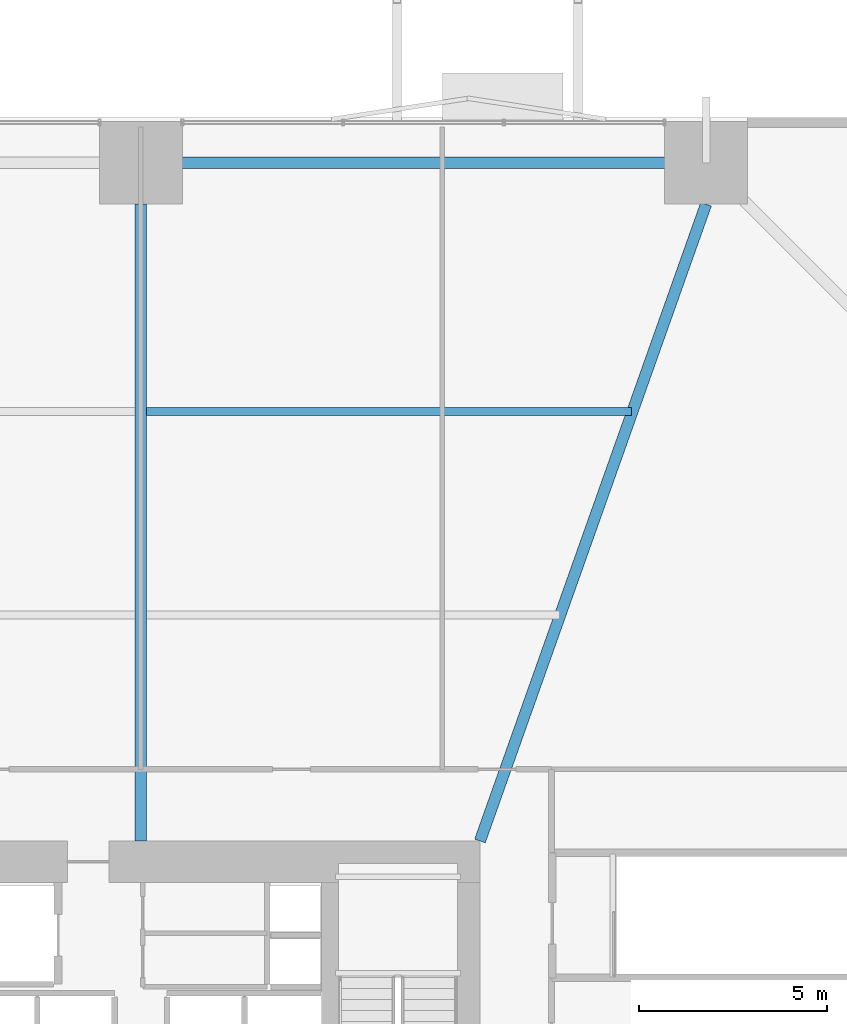
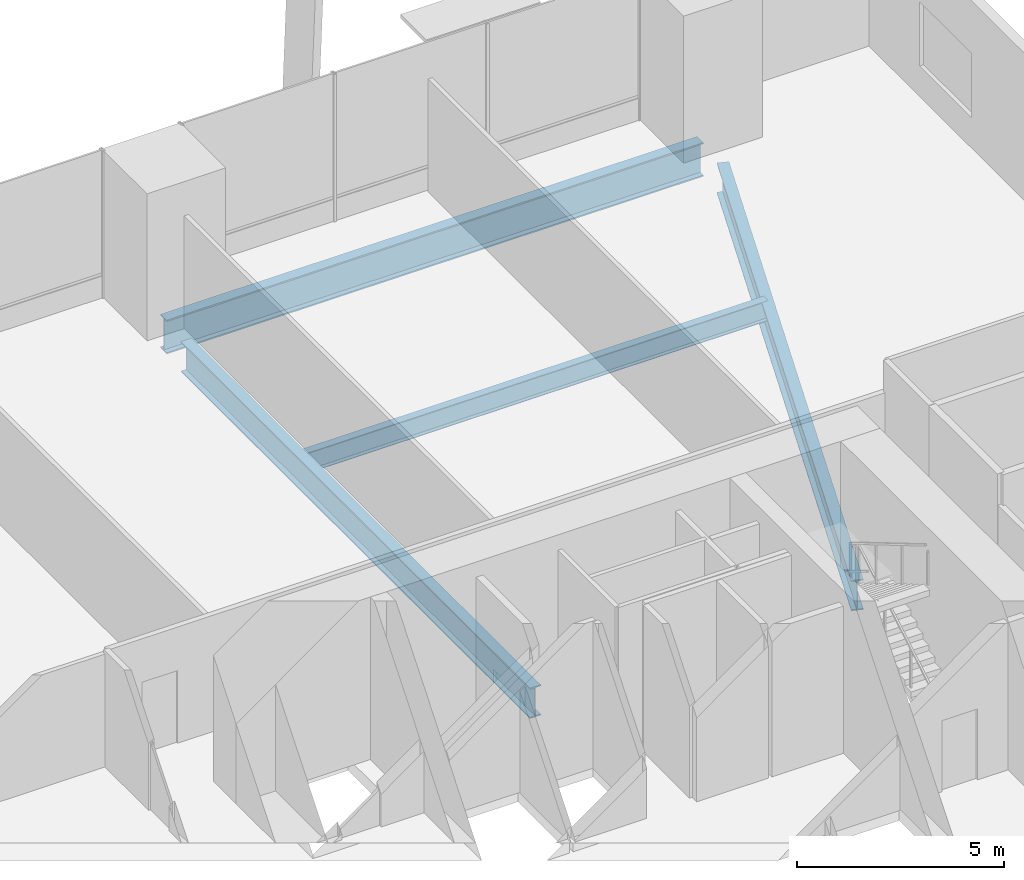
# One storey, part 16 of 24: 4 beams.
"""IFC4 building model written with IfcOpenShell, lengths in metres."""

from ifc_helpers import new_model, si_unit, direction, frame, origin, origin_2d, place, context, subcontext, project, spatial, i_section, extrude, material, material_profile, profile_set, type_object, element, save


model = new_model("IFC4")

# Units and contexts
model_context = context("Model", 3, precision=1e-05, world=origin(), true_north=direction((0.0, 1.0)))
body_context = subcontext(model_context, "Body", "Model", "MODEL_VIEW")
ifc_project = project(units=[si_unit("LENGTHUNIT", "METRE"), si_unit("AREAUNIT", "SQUARE_METRE"), si_unit("VOLUMEUNIT", "CUBIC_METRE"), si_unit("PLANEANGLEUNIT", "RADIAN"), si_unit("MASSUNIT", "GRAM", prefix="KILO")], contexts=[model_context])

# Site, building, storey
site_placement = place(None, origin())
site = spatial("IfcSite", under=ifc_project, at=site_placement, CompositionType="ELEMENT")
building_placement = place(site_placement, origin())
building = spatial("IfcBuilding", under=site, at=building_placement, Name="Belovzor Exchange Tower", CompositionType="ELEMENT")
storey_placement = place(building_placement, frame((0.0, 0.0, 19.199951171875)))
storey = spatial("IfcBuildingStorey", under=building, at=storey_placement, Name="L04", CompositionType="ELEMENT", Elevation=19.199951171875)

# Beams
ifc_material_1 = material(Name="Steel S460", Category="steel")
ifc_material_profile_1 = material_profile(ifc_material_1, i_section(OverallWidth=0.300048828125, OverallDepth=1.0, WebThickness=0.02099609375, FlangeThickness=0.0400390625, at=origin_2d()))
ifc_profile_set_1 = profile_set([ifc_material_profile_1], Name="Steel S460")
beam_type_1 = type_object("IfcBeamType", Name="Podium Exchange Hall Ring Girder HEM 1000", PredefinedType="BEAM", material=ifc_profile_set_1)
beam_1_placement = place(storey_placement, frame((43.800048828125, 55.800048828125, -0.849853515625), z_axis=(-1.0, 0.0, 0.0), x_axis=(0.0, -1.0, 0.0)))
element("IfcBeam", 1, at=beam_1_placement, inside=storey, type_object=beam_type_1, Name="PG-1 Podium Exchange Hall Ring Girder HEM 1000", PredefinedType="BEAM", context=body_context, shape_type="SweptSolid", body=[
    extrude(i_section(OverallWidth=0.300048828125, OverallDepth=1.0, WebThickness=0.02099609375, FlangeThickness=0.0400390625, at=origin_2d()), origin(), (0.0, 0.0, 1.0), 15.0),
])
ifc_material_2 = material(Name="Steel S460", Category="steel")
ifc_material_profile_2 = material_profile(ifc_material_2, i_section(OverallWidth=0.300048828125, OverallDepth=0.89990234375, WebThickness=0.0185546875, FlangeThickness=0.034912109375, at=origin_2d()))
ifc_profile_set_2 = profile_set([ifc_material_profile_2], Name="Steel S460")
beam_type_2 = type_object("IfcBeamType", Name="Podium Radial Clear-Span Girder HEB 900", PredefinedType="BEAM", material=ifc_profile_set_2)
beam_2_placement = place(storey_placement, frame((28.800048828125, 37.800048828125, -0.800048828125), z_axis=(0.0, 1.0, 0.0), x_axis=(-1.0, 0.0, 0.0)))
element("IfcBeam", 2, at=beam_2_placement, inside=storey, type_object=beam_type_2, Name="PG-2 Podium Radial Clear-Span Girder HEB 900", PredefinedType="BEAM", context=body_context, shape_type="SweptSolid", body=[
    extrude(i_section(OverallWidth=0.300048828125, OverallDepth=0.89990234375, WebThickness=0.0185546875, FlangeThickness=0.034912109375, at=origin_2d()), origin(), (0.0, 0.0, 1.0), 16.89990234375),
])
beam_3_placement = place(storey_placement, frame((37.800048828125, 37.800048828125, -0.800048828125), z_axis=(0.334571317861, 0.942370433144, 0.0), x_axis=(-0.942370433144, 0.334571317861, 0.0)))
element("IfcBeam", 3, at=beam_3_placement, inside=storey, type_object=beam_type_2, Name="PG-2 Podium Radial Clear-Span Girder HEB 900", PredefinedType="BEAM", context=body_context, shape_type="SweptSolid", body=[
    extrude(i_section(OverallWidth=0.300048828125, OverallDepth=0.89990234375, WebThickness=0.0185546875, FlangeThickness=0.034912109375, at=origin_2d()), origin(), (0.0, 0.0, 1.0), 17.933349609375),
])
ifc_material_3 = material(Name="Steel S355", Category="steel")
ifc_material_profile_3 = material_profile(ifc_material_3, i_section(OverallWidth=0.219970703125, OverallDepth=0.60009765625, WebThickness=0.011962890625, FlangeThickness=0.01904296875, at=origin_2d()))
ifc_profile_set_3 = profile_set([ifc_material_profile_3], Name="Steel S355")
beam_type_3 = type_object("IfcBeamType", Name="Podium Secondary Composite Floor Beam IPE 600", PredefinedType="BEAM", material=ifc_profile_set_3)
beam_4_placement = place(storey_placement, frame((28.949951171875, 49.199951171875, -0.64990234375), z_axis=(1.0, 0.0, 0.0), x_axis=(0.0, 1.0, 0.0)))
element("IfcBeam", 4, at=beam_4_placement, inside=storey, type_object=beam_type_3, Name="FB-600 Podium Secondary Composite Floor Beam IPE 600", PredefinedType="BEAM", context=body_context, shape_type="SweptSolid", body=[
    extrude(i_section(OverallWidth=0.219970703125, OverallDepth=0.60009765625, WebThickness=0.011962890625, FlangeThickness=0.01904296875, at=origin_2d()), origin(), (0.0, 0.0, 1.0), 12.876953125),
])

save(model, "model.ifc")
